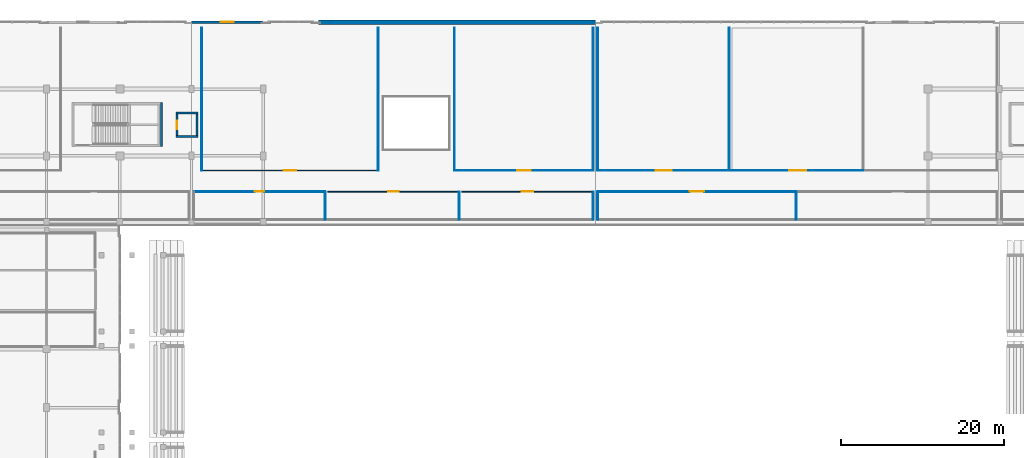
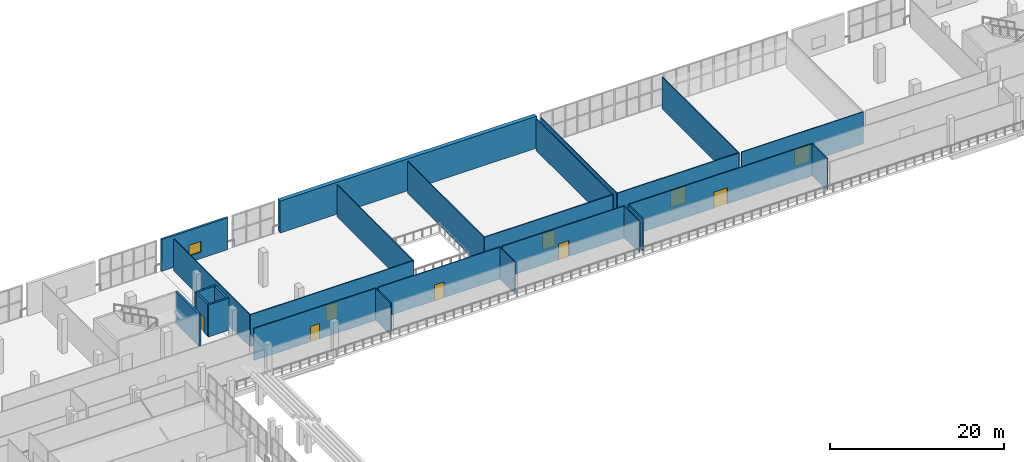
# One storey, part 103 of 142: 26 walls, 9 doors, 1 window, 10 openings.
"""IFC4 building model written with IfcOpenShell, lengths in metres."""

from ifc_helpers import new_model, si_unit, direction, frame, frame_2d, origin, place, context, subcontext, project, spatial, rectangle, extrude, material, layer, layer_set, type_object, element, fill, save


model = new_model("IFC4")

# Units and contexts
model_context = context("Model", 3, precision=1e-05, world=origin(), true_north=direction((0.0, 1.0)))
body_context = subcontext(model_context, "Body", "Model", "MODEL_VIEW")
ifc_project = project(units=[si_unit("LENGTHUNIT", "METRE"), si_unit("AREAUNIT", "SQUARE_METRE"), si_unit("VOLUMEUNIT", "CUBIC_METRE"), si_unit("PLANEANGLEUNIT", "RADIAN"), si_unit("MASSUNIT", "GRAM", prefix="KILO")], contexts=[model_context])

# Site, building, storey
site_placement = place(None, origin())
site = spatial("IfcSite", under=ifc_project, at=site_placement, CompositionType="ELEMENT")
building_placement = place(site_placement, origin())
building = spatial("IfcBuilding", under=site, at=building_placement, Name="Koshinbarg Plaza Stadium", CompositionType="ELEMENT")
storey_placement = place(building_placement, frame((0.0, 0.0, 10.199951171875)))
storey = spatial("IfcBuildingStorey", under=building, at=storey_placement, Name="L02", CompositionType="ELEMENT", Elevation=10.199951171875)

# Walls
ifc_material_1 = material(Name="Concrete C40/50", Category="concrete")
ifc_layer_1 = layer(ifc_material_1, 0.25)
ifc_layer_set_1 = layer_set([ifc_layer_1], Name="Concrete C40/50")
wall_type_1 = type_object("IfcWallType", Name="WL-CORE-250", PredefinedType="SHEAR", material=ifc_layer_set_1)
wall_1_placement = place(storey_placement, frame((68.72509765625, 136.75, 0.0), z_axis=(0.0, 0.0, 1.0), x_axis=(0.0, 1.0, 0.0)))
element("IfcWall", 1, at=wall_1_placement, inside=storey, type_object=wall_type_1, Name="L02 core stair shear wall C11-far IWL-L02-0267", PredefinedType="SHEAR", context=body_context, shape_type="SweptSolid", body=[
    extrude(rectangle(XDim=5.3701171875, YDim=0.25, at=frame_2d((2.68505859375, 0.0))), origin(), (0.0, 0.0, 1.0), 4.47998046875),
])
for number, where, z_axis, x_axis, name in (
    (2, (70.47509765625, 137.949951171875, 0.0), (0.0, 0.0, 1.0), (1.0, 0.0, 0.0), "L02 lift shaft shear wall LP07-S IWL-L02-0966"),
    (3, (73.22509765625, 140.85009765625, 0.0), (0.0, 0.0, 1.0), (-1.0, 0.0, 0.0), "L02 lift shaft shear wall LP07-N IWL-L02-0967"),
):
    element("IfcWall", number, at=place(storey_placement, frame(where, z_axis=z_axis, x_axis=x_axis)), inside=storey, type_object=wall_type_1, Name=name, PredefinedType="SHEAR", context=body_context, shape_type="SweptSolid", body=[
        extrude(rectangle(XDim=2.75, YDim=0.25, at=frame_2d((1.375, 0.0))), origin(), (0.0, 0.0, 1.0), 4.47998046875),
    ])

# Wall, opening, door
wall_2_placement = place(storey_placement, frame((70.60009765625, 140.85009765625, 0.0), z_axis=(0.0, 0.0, 1.0), x_axis=(0.0, -1.0, 0.0)))
wall_2 = element("IfcWall", 4, at=wall_2_placement, inside=storey, type_object=wall_type_1, Name="L02 lift shaft shear wall LP07-W IWL-L02-0968", PredefinedType="SHEAR", context=body_context, shape_type="SweptSolid", body=[
    extrude(rectangle(XDim=2.900146484375, YDim=0.25, at=frame_2d((1.4501953125, 0.0))), origin(), (0.0, 0.0, 1.0), 4.47998046875),
])
opening_1_placement = place(wall_2_placement, frame((0.925048828125, 0.0, 0.0)))
opening_1 = element("IfcOpeningElement", 5, at=opening_1_placement, cuts=wall_2, Name="Opening D-0311", PredefinedType="OPENING", context=body_context, shape_type="SweptSolid", body=[
    extrude(rectangle(XDim=1.050048828125, YDim=2.14990234375, at=frame_2d((0.52490234375, 1.074951171875))), frame((0.0, 0.135009765625, 0.0), z_axis=(0.0, -1.0, 0.0), x_axis=(1.0, 0.0, 0.0)), (0.0, 0.0, 1.0), 0.27001953125),
])
ifc_material_2 = material(Name="Brushed stainless steel sliding lift landing door", Category="steel")
door_type_1 = type_object("IfcDoorType", Name="DR-LIFT-1050", OperationType="NOTDEFINED", PredefinedType="DOOR", material=ifc_material_2)
door_1_placement = place(opening_1_placement, origin())
door_1 = element("IfcDoor", 6, at=door_1_placement, inside=storey, type_object=door_type_1, Name="L02 lift landing door LP07", OperationType="SLIDING_TO_RIGHT", OverallHeight=2.14990234375, OverallWidth=1.050048828125, PredefinedType="DOOR", context=body_context, shape_type="SweptSolid", body=[
    extrude(rectangle(XDim=1.050048828125, YDim=2.14990234375, at=frame_2d((0.52490234375, 1.074951171875))), frame((0.0, 0.02490234375, 0.0), z_axis=(0.0, -1.0, 0.0), x_axis=(1.0, 0.0, 0.0)), (0.0, 0.0, 1.0), 0.050048828125),
])
fill(opening_1, door_1)

# Wall
wall_3_placement = place(storey_placement, frame((73.10009765625, 137.949951171875, 0.0), z_axis=(0.0, 0.0, 1.0), x_axis=(0.0, 1.0, 0.0)))
element("IfcWall", 7, at=wall_3_placement, inside=storey, type_object=wall_type_1, Name="L02 lift shaft shear wall LP07-E IWL-L02-0969", PredefinedType="SHEAR", context=body_context, shape_type="SweptSolid", body=[
    extrude(rectangle(XDim=2.900146484375, YDim=0.25, at=frame_2d((1.4501953125, 0.0))), origin(), (0.0, 0.0, 1.0), 4.47998046875),
])

# Wall, opening, window
ifc_material_3 = material(Name="Terracotta-ochre mineral plaster insulated wall", Category="masonry")
ifc_layer_2 = layer(ifc_material_3, 0.280029296875)
ifc_layer_set_2 = layer_set([ifc_layer_2], Name="Terracotta-ochre mineral plaster insulated wall")
wall_type_2 = type_object("IfcWallType", Name="WL-EXT-280", PredefinedType="SOLIDWALL", material=ifc_layer_set_2)
wall_4_placement = place(storey_placement, frame((72.39990234375, 152.0, 0.0), z_axis=(0.0, 0.0, 1.0), x_axis=(1.0, 0.0, 0.0)))
wall_4 = element("IfcWall", 8, at=wall_4_placement, inside=storey, type_object=wall_type_2, Name="L02 exterior envelope wall EWL-L02-0120", PredefinedType="SOLIDWALL", context=body_context, shape_type="SweptSolid", body=[
    extrude(rectangle(XDim=8.800048828125, YDim=0.280029296875, at=frame_2d((4.39990234375, 0.0))), origin(), (0.0, 0.0, 1.0), 4.47998046875),
])
opening_2_placement = place(wall_4_placement, frame((3.60009765625, 0.0, 0.89990234375)))
opening_2 = element("IfcOpeningElement", 9, at=opening_2_placement, cuts=wall_4, Name="Opening WN03", PredefinedType="OPENING", context=body_context, shape_type="SweptSolid", body=[
    extrude(rectangle(XDim=1.60009765625, YDim=1.5, at=frame_2d((0.800048828125, 0.75))), frame((0.0, 0.14990234375, 0.0), z_axis=(0.0, -1.0, 0.0), x_axis=(1.0, 0.0, 0.0)), (0.0, 0.0, 1.0), 0.300048828125),
])
ifc_material_4 = material(Name="Solar-control double glazing in thermally broken aluminium frame", Category="aluminium")
window_type = type_object("IfcWindowType", Name="WN-FAC-03", PartitioningType="DOUBLE_PANEL_VERTICAL", PredefinedType="WINDOW", material=ifc_material_4)
window_placement = place(opening_2_placement, origin())
window = element("IfcWindow", 10, at=window_placement, inside=storey, type_object=window_type, Name="L02 facade window 0058", OverallHeight=1.5, OverallWidth=1.60009765625, PartitioningType="SINGLE_PANEL", PredefinedType="WINDOW", context=body_context, shape_type="SweptSolid", body=[
    extrude(rectangle(XDim=1.60009765625, YDim=1.5, at=frame_2d((0.800048828125, 0.75))), frame((0.0, 0.030029296875, 0.0), z_axis=(0.0, -1.0, 0.0), x_axis=(1.0, 0.0, 0.0)), (0.0, 0.0, 1.0), 0.06005859375),
])
fill(opening_2, window)

# Wall
ifc_material_5 = material(Name="Gypsum board metal-stud acoustic partition")
ifc_layer_3 = layer(ifc_material_5, 0.1201171875)
ifc_layer_set_3 = layer_set([ifc_layer_3], Name="Gypsum board metal-stud acoustic partition")
wall_type_3 = type_object("IfcWallType", Name="WL-PART-120", PredefinedType="PARTITIONING", material=ifc_layer_set_3)
wall_5_placement = place(storey_placement, frame((88.8232421875, 127.7451171875, 0.0), z_axis=(0.0, 0.0, 1.0), x_axis=(0.0, 1.0, 0.0)))
element("IfcWall", 11, at=wall_5_placement, inside=storey, type_object=wall_type_3, Name="L02 interior partition L02-107-east IWL-L02-1753", PredefinedType="PARTITIONING", context=body_context, shape_type="SweptSolid", body=[
    extrude(rectangle(XDim=3.454833984375, YDim=0.1201171875, at=frame_2d((1.7275390625, 0.0))), origin(), (0.0, 0.0, 1.0), 4.47998046875),
])

# Wall, opening, door
wall_6_placement = place(storey_placement, frame((88.8232421875, 131.199951171875, 0.0), z_axis=(0.0, 0.0, 1.0), x_axis=(-1.0, 0.0, 0.0)))
wall_6 = element("IfcWall", 12, at=wall_6_placement, inside=storey, type_object=wall_type_3, Name="L02 interior partition L02-107-north IWL-L02-1754", PredefinedType="PARTITIONING", context=body_context, shape_type="SweptSolid", body=[
    extrude(rectangle(XDim=16.1533203125, YDim=0.1201171875, at=frame_2d((8.07666015625, 0.0))), origin(), (0.0, 0.0, 1.0), 4.47998046875),
])
opening_3_placement = place(wall_6_placement, frame((7.476806640625, 0.0, 0.0)))
opening_3 = element("IfcOpeningElement", 13, at=opening_3_placement, cuts=wall_6, Name="Opening D-0594", PredefinedType="OPENING", context=body_context, shape_type="SweptSolid", body=[
    extrude(rectangle(XDim=1.199951171875, YDim=2.14990234375, at=frame_2d((0.60009765625, 1.074951171875))), frame((0.0, 0.070068359375, 0.0), z_axis=(0.0, -1.0, 0.0), x_axis=(1.0, 0.0, 0.0)), (0.0, 0.0, 1.0), 0.14013671875),
])
ifc_material_6 = material(Name="Solid-core hardwood leaf in painted steel frame", Category="steel")
door_type_2 = type_object("IfcDoorType", Name="DR-INT-1200x2150", OperationType="NOTDEFINED", PredefinedType="DOOR", material=ifc_material_6)
door_2_placement = place(opening_3_placement, origin())
door_2 = element("IfcDoor", 14, at=door_2_placement, inside=storey, type_object=door_type_2, Name="L02 North Club Lounge door D-0594", OperationType="SINGLE_SWING_RIGHT", OverallHeight=2.14990234375, OverallWidth=1.199951171875, PredefinedType="DOOR", context=body_context, shape_type="SweptSolid", body=[
    extrude(rectangle(XDim=1.199951171875, YDim=2.14990234375, at=frame_2d((0.60009765625, 1.074951171875))), frame((0.0, 0.02490234375, 0.0), z_axis=(0.0, -1.0, 0.0), x_axis=(1.0, 0.0, 0.0)), (0.0, 0.0, 1.0), 0.050048828125),
])
fill(opening_3, door_2)

# Wall
wall_7_placement = place(storey_placement, frame((105.276611328125, 127.7451171875, 0.0), z_axis=(0.0, 0.0, 1.0), x_axis=(0.0, 1.0, 0.0)))
element("IfcWall", 15, at=wall_7_placement, inside=storey, type_object=wall_type_3, Name="L02 interior partition L02-108-east IWL-L02-1757", PredefinedType="PARTITIONING", context=body_context, shape_type="SweptSolid", body=[
    extrude(rectangle(XDim=3.454833984375, YDim=0.1201171875, at=frame_2d((1.7275390625, 0.0))), origin(), (0.0, 0.0, 1.0), 4.47998046875),
])

# Wall, opening, door
wall_8_placement = place(storey_placement, frame((105.276611328125, 131.199951171875, 0.0), z_axis=(0.0, 0.0, 1.0), x_axis=(-1.0, 0.0, 0.0)))
wall_8 = element("IfcWall", 16, at=wall_8_placement, inside=storey, type_object=wall_type_3, Name="L02 interior partition L02-108-north IWL-L02-1758", PredefinedType="PARTITIONING", context=body_context, shape_type="SweptSolid", body=[
    extrude(rectangle(XDim=16.1533203125, YDim=0.1201171875, at=frame_2d((8.07666015625, 0.0))), origin(), (0.0, 0.0, 1.0), 4.47998046875),
])
opening_4_placement = place(wall_8_placement, frame((7.4267578125, 0.0, 0.0)))
opening_4 = element("IfcOpeningElement", 17, at=opening_4_placement, cuts=wall_8, Name="Opening D-0595", PredefinedType="OPENING", context=body_context, shape_type="SweptSolid", body=[
    extrude(rectangle(XDim=1.300048828125, YDim=2.199951171875, at=frame_2d((0.64990234375, 1.10009765625))), frame((0.0, 0.070068359375, 0.0), z_axis=(0.0, -1.0, 0.0), x_axis=(1.0, 0.0, 0.0)), (0.0, 0.0, 1.0), 0.14013671875),
])
ifc_material_7 = material(Name="Thermally broken anodised aluminium glazed door", Category="aluminium")
door_type_3 = type_object("IfcDoorType", Name="DR-INT-1300x2200", OperationType="NOTDEFINED", PredefinedType="DOOR", material=ifc_material_7)
door_3_placement = place(opening_4_placement, origin())
door_3 = element("IfcDoor", 18, at=door_3_placement, inside=storey, type_object=door_type_3, Name="L02 Museum Cafe Dining Hall door D-0595", OperationType="SINGLE_SWING_LEFT", OverallHeight=2.199951171875, OverallWidth=1.300048828125, PredefinedType="DOOR", context=body_context, shape_type="SweptSolid", body=[
    extrude(rectangle(XDim=1.300048828125, YDim=2.199951171875, at=frame_2d((0.64990234375, 1.10009765625))), frame((0.0, 0.02490234375, 0.0), z_axis=(0.0, -1.0, 0.0), x_axis=(1.0, 0.0, 0.0)), (0.0, 0.0, 1.0), 0.050048828125),
])
fill(opening_4, door_3)

# Wall
wall_9_placement = place(storey_placement, frame((121.72998046875, 127.7451171875, 0.0), z_axis=(0.0, 0.0, 1.0), x_axis=(0.0, 1.0, 0.0)))
element("IfcWall", 19, at=wall_9_placement, inside=storey, type_object=wall_type_3, Name="L02 interior partition L02-109-east IWL-L02-1760", PredefinedType="PARTITIONING", context=body_context, shape_type="SweptSolid", body=[
    extrude(rectangle(XDim=3.454833984375, YDim=0.1201171875, at=frame_2d((1.7275390625, 0.0))), origin(), (0.0, 0.0, 1.0), 4.47998046875),
])

# Wall, opening, door
wall_10_placement = place(storey_placement, frame((121.72998046875, 131.199951171875, 0.0), z_axis=(0.0, 0.0, 1.0), x_axis=(-1.0, 0.0, 0.0)))
wall_10 = element("IfcWall", 20, at=wall_10_placement, inside=storey, type_object=wall_type_3, Name="L02 interior partition L02-109-north IWL-L02-1761", PredefinedType="PARTITIONING", context=body_context, shape_type="SweptSolid", body=[
    extrude(rectangle(XDim=16.1533203125, YDim=0.1201171875, at=frame_2d((8.07666015625, 0.0))), origin(), (0.0, 0.0, 1.0), 4.47998046875),
])
opening_5_placement = place(wall_10_placement, frame((7.376708984375, 0.0, 0.0)))
opening_5 = element("IfcOpeningElement", 21, at=opening_5_placement, cuts=wall_10, Name="Opening D-0596", PredefinedType="OPENING", context=body_context, shape_type="SweptSolid", body=[
    extrude(rectangle(XDim=1.39990234375, YDim=2.199951171875, at=frame_2d((0.699951171875, 1.10009765625))), frame((0.0, 0.070068359375, 0.0), z_axis=(0.0, -1.0, 0.0), x_axis=(1.0, 0.0, 0.0)), (0.0, 0.0, 1.0), 0.14013671875),
])
ifc_material_8 = material(Name="Stainless-clad solid-core timber double fire door", Category="wood")
door_type_4 = type_object("IfcDoorType", Name="DR-INT-1400x2200", OperationType="NOTDEFINED", PredefinedType="DOOR", material=ifc_material_8)
door_4_placement = place(opening_5_placement, origin())
door_4 = element("IfcDoor", 22, at=door_4_placement, inside=storey, type_object=door_type_4, Name="L02 Olympic Medal Salon door D-0596", OperationType="DOUBLE_DOOR_SINGLE_SWING", OverallHeight=2.199951171875, OverallWidth=1.39990234375, PredefinedType="DOOR", context=body_context, shape_type="SweptSolid", body=[
    extrude(rectangle(XDim=1.39990234375, YDim=2.199951171875, at=frame_2d((0.699951171875, 1.10009765625))), frame((0.0, 0.02490234375, 0.0), z_axis=(0.0, -1.0, 0.0), x_axis=(1.0, 0.0, 0.0)), (0.0, 0.0, 1.0), 0.050048828125),
])
fill(opening_5, door_4)

wall_11_placement = place(storey_placement, frame((73.679931640625, 133.800048828125, 0.0), z_axis=(0.0, 0.0, 1.0), x_axis=(1.0, 0.0, 0.0)))
wall_11 = element("IfcWall", 23, at=wall_11_placement, inside=storey, type_object=wall_type_3, Name="L02 interior partition L02-110-south IWL-L02-1762", PredefinedType="PARTITIONING", context=body_context, shape_type="SweptSolid", body=[
    extrude(rectangle(XDim=21.64013671875, YDim=0.1201171875, at=frame_2d((10.820068359375, 0.0))), origin(), (0.0, 0.0, 1.0), 4.47998046875),
])
opening_6_placement = place(wall_11_placement, frame((10.044921875, 0.0, 0.0)))
opening_6 = element("IfcOpeningElement", 24, at=opening_6_placement, cuts=wall_11, Name="Opening D-0597", PredefinedType="OPENING", context=body_context, shape_type="SweptSolid", body=[
    extrude(rectangle(XDim=1.550048828125, YDim=2.199951171875, at=frame_2d((0.77490234375, 1.10009765625))), frame((0.0, 0.070068359375, 0.0), z_axis=(0.0, -1.0, 0.0), x_axis=(1.0, 0.0, 0.0)), (0.0, 0.0, 1.0), 0.14013671875),
])
ifc_material_9 = material(Name="Toughened laminated glass in aluminium frame", Category="aluminium")
door_type_5 = type_object("IfcDoorType", Name="DR-INT-1550x2200", OperationType="NOTDEFINED", PredefinedType="DOOR", material=ifc_material_9)
door_5_placement = place(opening_6_placement, origin())
door_5 = element("IfcDoor", 25, at=door_5_placement, inside=storey, type_object=door_type_5, Name="L02 Museum Cafe Dining Hall door D-0597", OperationType="DOUBLE_DOOR_SINGLE_SWING", OverallHeight=2.199951171875, OverallWidth=1.550048828125, PredefinedType="DOOR", context=body_context, shape_type="SweptSolid", body=[
    extrude(rectangle(XDim=1.550048828125, YDim=2.199951171875, at=frame_2d((0.77490234375, 1.10009765625))), frame((0.0, 0.02490234375, 0.0), z_axis=(0.0, -1.0, 0.0), x_axis=(1.0, 0.0, 0.0)), (0.0, 0.0, 1.0), 0.050048828125),
])
fill(opening_6, door_5)

# Walls
for number, where, z_axis, x_axis, name in (
    (26, (95.320068359375, 133.800048828125, 0.0), (0.0, 0.0, 1.0), (0.0, 1.0, 0.0), "L02 interior partition L02-110-east IWL-L02-1763"),
    (27, (73.679931640625, 151.300048828125, 0.0), (0.0, 0.0, 1.0), (0.0, -1.0, 0.0), "L02 interior partition L02-110-west IWL-L02-1764"),
):
    element("IfcWall", number, at=place(storey_placement, frame(where, z_axis=z_axis, x_axis=x_axis)), inside=storey, type_object=wall_type_3, Name=name, PredefinedType="PARTITIONING", context=body_context, shape_type="SweptSolid", body=[
        extrude(rectangle(XDim=17.5, YDim=0.1201171875, at=frame_2d((8.75, 0.0))), origin(), (0.0, 0.0, 1.0), 4.47998046875),
    ])

# Wall, opening, door
wall_12_placement = place(storey_placement, frame((104.679931640625, 133.800048828125, 0.0), z_axis=(0.0, 0.0, 1.0), x_axis=(1.0, 0.0, 0.0)))
wall_12 = element("IfcWall", 28, at=wall_12_placement, inside=storey, type_object=wall_type_3, Name="L02 interior partition L02-111-south IWL-L02-1765", PredefinedType="PARTITIONING", context=body_context, shape_type="SweptSolid", body=[
    extrude(rectangle(XDim=17.050048828125, YDim=0.1201171875, at=frame_2d((8.52490234375, 0.0))), origin(), (0.0, 0.0, 1.0), 4.47998046875),
])
opening_7_placement = place(wall_12_placement, frame((7.68505859375, 0.0, 0.0)))
opening_7 = element("IfcOpeningElement", 29, at=opening_7_placement, cuts=wall_12, Name="Opening D-0598", PredefinedType="OPENING", context=body_context, shape_type="SweptSolid", body=[
    extrude(rectangle(XDim=1.679931640625, YDim=2.25, at=frame_2d((0.83984375, 1.125))), frame((0.0, 0.070068359375, 0.0), z_axis=(0.0, -1.0, 0.0), x_axis=(1.0, 0.0, 0.0)), (0.0, 0.0, 1.0), 0.14013671875),
])
ifc_material_10 = material(Name="Powder-coated aluminium double glazed door", Category="aluminium")
door_type_6 = type_object("IfcDoorType", Name="DR-INT-1680x2250", OperationType="NOTDEFINED", PredefinedType="DOOR", material=ifc_material_10)
door_6_placement = place(opening_7_placement, origin())
door_6 = element("IfcDoor", 30, at=door_6_placement, inside=storey, type_object=door_type_6, Name="L02 Olympic Medal Salon door D-0598", OperationType="DOUBLE_DOOR_SINGLE_SWING", OverallHeight=2.25, OverallWidth=1.679931640625, PredefinedType="DOOR", context=body_context, shape_type="SweptSolid", body=[
    extrude(rectangle(XDim=1.679931640625, YDim=2.25, at=frame_2d((0.83984375, 1.125))), frame((0.0, 0.02490234375, 0.0), z_axis=(0.0, -1.0, 0.0), x_axis=(1.0, 0.0, 0.0)), (0.0, 0.0, 1.0), 0.050048828125),
])
fill(opening_7, door_6)

# Walls
for number, where, z_axis, x_axis, name in (
    (31, (121.72998046875, 133.800048828125, 0.0), (0.0, 0.0, 1.0), (0.0, 1.0, 0.0), "L02 interior partition L02-111-east IWL-L02-1766"),
    (32, (104.679931640625, 151.300048828125, 0.0), (0.0, 0.0, 1.0), (0.0, -1.0, 0.0), "L02 interior partition L02-111-west IWL-L02-1767"),
):
    element("IfcWall", number, at=place(storey_placement, frame(where, z_axis=z_axis, x_axis=x_axis)), inside=storey, type_object=wall_type_3, Name=name, PredefinedType="PARTITIONING", context=body_context, shape_type="SweptSolid", body=[
        extrude(rectangle(XDim=17.5, YDim=0.1201171875, at=frame_2d((8.75, 0.0))), origin(), (0.0, 0.0, 1.0), 4.47998046875),
    ])
wall_13_placement = place(storey_placement, frame((146.64990234375, 127.7451171875, 0.0), z_axis=(0.0, 0.0, 1.0), x_axis=(0.0, 1.0, 0.0)))
element("IfcWall", 33, at=wall_13_placement, inside=storey, type_object=wall_type_3, Name="L02 interior partition L02-112-east IWL-L02-1769", PredefinedType="PARTITIONING", context=body_context, shape_type="SweptSolid", body=[
    extrude(rectangle(XDim=3.454833984375, YDim=0.1201171875, at=frame_2d((1.7275390625, 0.0))), origin(), (0.0, 0.0, 1.0), 4.47998046875),
])

# Wall, opening, door
wall_14_placement = place(storey_placement, frame((146.64990234375, 131.199951171875, 0.0), z_axis=(0.0, 0.0, 1.0), x_axis=(-1.0, 0.0, 0.0)))
wall_14 = element("IfcWall", 34, at=wall_14_placement, inside=storey, type_object=wall_type_3, Name="L02 interior partition L02-112-north IWL-L02-1770", PredefinedType="PARTITIONING", context=body_context, shape_type="SweptSolid", body=[
    extrude(rectangle(XDim=24.3798828125, YDim=0.1201171875, at=frame_2d((12.18994140625, 0.0))), origin(), (0.0, 0.0, 1.0), 4.47998046875),
])
opening_8_placement = place(wall_14_placement, frame((11.31005859375, 0.0, 0.0)))
opening_8 = element("IfcOpeningElement", 35, at=opening_8_placement, cuts=wall_14, Name="Opening D-0599", PredefinedType="OPENING", context=body_context, shape_type="SweptSolid", body=[
    extrude(rectangle(XDim=1.760009765625, YDim=2.25, at=frame_2d((0.8798828125, 1.125))), frame((0.0, 0.070068359375, 0.0), z_axis=(0.0, -1.0, 0.0), x_axis=(1.0, 0.0, 0.0)), (0.0, 0.0, 1.0), 0.14013671875),
])
ifc_material_11 = material(Name="Solid-core oak veneer double swing door")
door_type_7 = type_object("IfcDoorType", Name="DR-INT-1760x2250", OperationType="NOTDEFINED", PredefinedType="DOOR", material=ifc_material_11)
door_7_placement = place(opening_8_placement, origin())
door_7 = element("IfcDoor", 36, at=door_7_placement, inside=storey, type_object=door_type_7, Name="L02 Museum Cafe Dining Hall door D-0599", OperationType="DOUBLE_DOOR_SINGLE_SWING", OverallHeight=2.25, OverallWidth=1.760009765625, PredefinedType="DOOR", context=body_context, shape_type="SweptSolid", body=[
    extrude(rectangle(XDim=1.760009765625, YDim=2.25, at=frame_2d((0.8798828125, 1.125))), frame((0.0, 0.02490234375, 0.0), z_axis=(0.0, -1.0, 0.0), x_axis=(1.0, 0.0, 0.0)), (0.0, 0.0, 1.0), 0.050048828125),
])
fill(opening_8, door_7)

# Wall
wall_15_placement = place(storey_placement, frame((122.27001953125, 131.199951171875, 0.0), z_axis=(0.0, 0.0, 1.0), x_axis=(0.0, -1.0, 0.0)))
element("IfcWall", 37, at=wall_15_placement, inside=storey, type_object=wall_type_3, Name="L02 interior partition L02-112-west IWL-L02-1771", PredefinedType="PARTITIONING", context=body_context, shape_type="SweptSolid", body=[
    extrude(rectangle(XDim=3.454833984375, YDim=0.1201171875, at=frame_2d((1.7275390625, 0.0))), origin(), (0.0, 0.0, 1.0), 4.47998046875),
])

# Wall, opening, door
wall_16_placement = place(storey_placement, frame((122.27001953125, 133.800048828125, 0.0), z_axis=(0.0, 0.0, 1.0), x_axis=(1.0, 0.0, 0.0)))
wall_16 = element("IfcWall", 38, at=wall_16_placement, inside=storey, type_object=wall_type_3, Name="L02 interior partition L02-114-south IWL-L02-1775", PredefinedType="PARTITIONING", context=body_context, shape_type="SweptSolid", body=[
    extrude(rectangle(XDim=16.1533203125, YDim=0.1201171875, at=frame_2d((8.07666015625, 0.0))), origin(), (0.0, 0.0, 1.0), 4.47998046875),
])
opening_9_placement = place(wall_16_placement, frame((7.0966796875, 0.0, 0.0)))
opening_9 = element("IfcOpeningElement", 39, at=opening_9_placement, cuts=wall_16, Name="Opening D-0601", PredefinedType="OPENING", context=body_context, shape_type="SweptSolid", body=[
    extrude(rectangle(XDim=1.9599609375, YDim=2.300048828125, at=frame_2d((0.97998046875, 1.14990234375))), frame((0.0, 0.070068359375, 0.0), z_axis=(0.0, -1.0, 0.0), x_axis=(1.0, 0.0, 0.0)), (0.0, 0.0, 1.0), 0.14013671875),
])
ifc_material_12 = material(Name="Bronze-anodised aluminium glazed double door", Category="aluminium")
door_type_8 = type_object("IfcDoorType", Name="DR-INT-1960x2300", OperationType="NOTDEFINED", PredefinedType="DOOR", material=ifc_material_12)
door_8_placement = place(opening_9_placement, origin())
door_8 = element("IfcDoor", 40, at=door_8_placement, inside=storey, type_object=door_type_8, Name="L02 Olympic Medal Salon door D-0601", OperationType="DOUBLE_DOOR_SINGLE_SWING", OverallHeight=2.300048828125, OverallWidth=1.9599609375, PredefinedType="DOOR", context=body_context, shape_type="SweptSolid", body=[
    extrude(rectangle(XDim=1.9599609375, YDim=2.300048828125, at=frame_2d((0.97998046875, 1.14990234375))), frame((0.0, 0.02490234375, 0.0), z_axis=(0.0, -1.0, 0.0), x_axis=(1.0, 0.0, 0.0)), (0.0, 0.0, 1.0), 0.050048828125),
])
fill(opening_9, door_8)

# Walls
for number, where, z_axis, x_axis, name in (
    (41, (138.42333984375, 133.800048828125, 0.0), (0.0, 0.0, 1.0), (0.0, 1.0, 0.0), "L02 interior partition L02-114-east IWL-L02-1776"),
    (42, (122.27001953125, 151.300048828125, 0.0), (0.0, 0.0, 1.0), (0.0, -1.0, 0.0), "L02 interior partition L02-114-west IWL-L02-1777"),
):
    element("IfcWall", number, at=place(storey_placement, frame(where, z_axis=z_axis, x_axis=x_axis)), inside=storey, type_object=wall_type_3, Name=name, PredefinedType="PARTITIONING", context=body_context, shape_type="SweptSolid", body=[
        extrude(rectangle(XDim=17.5, YDim=0.1201171875, at=frame_2d((8.75, 0.0))), origin(), (0.0, 0.0, 1.0), 4.47998046875),
    ])

# Wall, opening, door
wall_17_placement = place(storey_placement, frame((138.723388671875, 133.800048828125, 0.0), z_axis=(0.0, 0.0, 1.0), x_axis=(1.0, 0.0, 0.0)))
wall_17 = element("IfcWall", 43, at=wall_17_placement, inside=storey, type_object=wall_type_3, Name="L02 interior partition L02-115-south IWL-L02-1778", PredefinedType="PARTITIONING", context=body_context, shape_type="SweptSolid", body=[
    extrude(rectangle(XDim=16.1533203125, YDim=0.1201171875, at=frame_2d((8.07666015625, 0.0))), origin(), (0.0, 0.0, 1.0), 4.47998046875),
])
opening_10_placement = place(wall_17_placement, frame((7.03662109375, 0.0, 0.0)))
opening_10 = element("IfcOpeningElement", 44, at=opening_10_placement, cuts=wall_17, Name="Opening D-0602", PredefinedType="OPENING", context=body_context, shape_type="SweptSolid", body=[
    extrude(rectangle(XDim=2.080078125, YDim=2.35009765625, at=frame_2d((1.0400390625, 1.175048828125))), frame((0.0, 0.070068359375, 0.0), z_axis=(0.0, -1.0, 0.0), x_axis=(1.0, 0.0, 0.0)), (0.0, 0.0, 1.0), 0.14013671875),
])
ifc_material_13 = material(Name="Laminated safety glass aluminium vestibule door", Category="aluminium")
door_type_9 = type_object("IfcDoorType", Name="DR-INT-2080x2350", OperationType="NOTDEFINED", PredefinedType="DOOR", material=ifc_material_13)
door_9_placement = place(opening_10_placement, origin())
door_9 = element("IfcDoor", 45, at=door_9_placement, inside=storey, type_object=door_type_9, Name="L02 Tashkent Sporting Archive Hall door D-0602", OperationType="DOUBLE_DOOR_SINGLE_SWING", OverallHeight=2.35009765625, OverallWidth=2.080078125, PredefinedType="DOOR", context=body_context, shape_type="SweptSolid", body=[
    extrude(rectangle(XDim=2.080078125, YDim=2.35009765625, at=frame_2d((1.0400390625, 1.175048828125))), frame((0.0, 0.02490234375, 0.0), z_axis=(0.0, -1.0, 0.0), x_axis=(1.0, 0.0, 0.0)), (0.0, 0.0, 1.0), 0.050048828125),
])
fill(opening_10, door_9)

# Wall
ifc_layer_4 = layer(ifc_material_1, 0.550048828125)
ifc_layer_set_4 = layer_set([ifc_layer_4], Name="Concrete C40/50")
wall_type_4 = type_object("IfcWallType", Name="WL-PYLON-550", PredefinedType="SHEAR", material=ifc_layer_set_4)
wall_18_placement = place(storey_placement, frame((88.0, 152.0, 0.0), z_axis=(0.0, 0.0, 1.0), x_axis=(1.0, 0.0, 0.0)))
element("IfcWall", 46, at=wall_18_placement, inside=storey, type_object=wall_type_4, Name="L02 exterior shear pylon wall EWL-L02-0121", PredefinedType="SHEAR", context=body_context, shape_type="SweptSolid", body=[
    extrude(rectangle(XDim=34.0, YDim=0.550048828125, at=frame_2d((17.0, 0.0))), origin(), (0.0, 0.0, 1.0), 4.47998046875),
])

save(model, "model.ifc")
